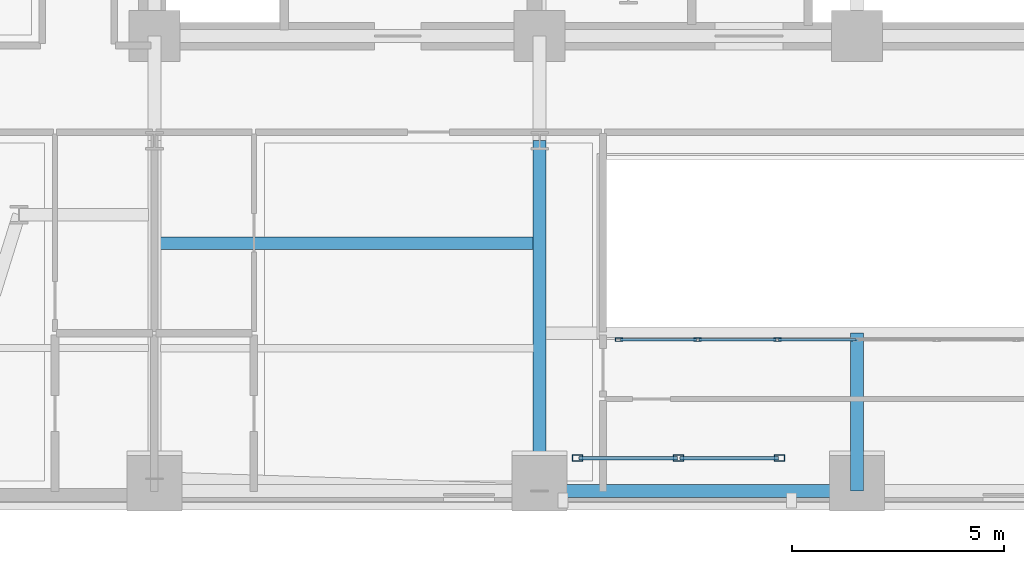
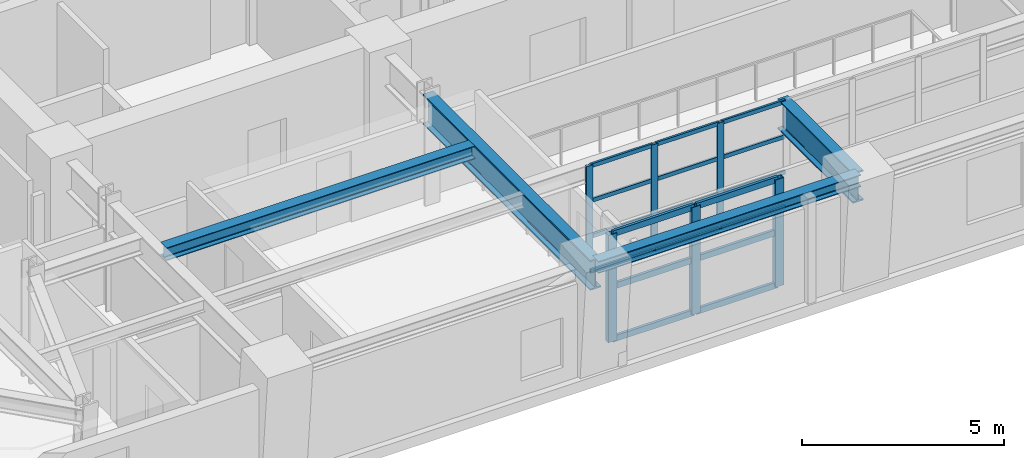
# One storey, part 2 of 16: 24 members, 4 beams, 2 elements without a shape of their own.
"""IFC4 building model written with IfcOpenShell, lengths in metres."""

from ifc_helpers import new_model, si_unit, direction, frame, origin, origin_2d, place, context, subcontext, project, spatial, hollow_rectangle, i_section, extrude, material, layer, layer_set, material_profile, profile_set, type_object, element, aggregate, save


model = new_model("IFC4")

# Units and contexts
model_context = context("Model", 3, precision=1e-05, world=origin(), true_north=direction((0.0, 1.0)))
body_context = subcontext(model_context, "Body", "Model", "MODEL_VIEW")
ifc_project = project(units=[si_unit("LENGTHUNIT", "METRE"), si_unit("AREAUNIT", "SQUARE_METRE"), si_unit("VOLUMEUNIT", "CUBIC_METRE"), si_unit("PLANEANGLEUNIT", "RADIAN"), si_unit("MASSUNIT", "GRAM", prefix="KILO")], contexts=[model_context])

# Site, building, storey
site_placement = place(None, origin())
site = spatial("IfcSite", under=ifc_project, at=site_placement, CompositionType="ELEMENT")
building_placement = place(site_placement, origin())
building = spatial("IfcBuilding", under=site, at=building_placement, Name="Zarnavel Station Tower", CompositionType="ELEMENT")
storey_placement = place(building_placement, frame((0.0, 0.0, 97.800048828125)))
storey = spatial("IfcBuildingStorey", under=building, at=storey_placement, Name="L26", CompositionType="ELEMENT", Elevation=97.800048828125)

# Curtain wall, members
ifc_material_1 = material(Name="Aluminium Dark Anodised and Solar-Control Glass", Category="aluminium")
ifc_layer_1 = layer(ifc_material_1, 0.179931640625)
ifc_layer_set_1 = layer_set([ifc_layer_1], Name="CWS3")
curtain_wall_type_1 = type_object("IfcCurtainWallType", Name="CWS3", PredefinedType="NOTDEFINED", material=ifc_layer_set_1)
curtain_wall_1_placement = place(storey_placement, origin())
curtain_wall_1 = element("IfcCurtainWall", 1, at=curtain_wall_1_placement, inside=storey, type_object=curtain_wall_type_1, Name="L26 Curtain Wall CWS3-L26-AS", PredefinedType="NOTDEFINED")
ifc_material_2 = material(Name="Steel S355J2 (Black Fluoropolymer Coated)", Category="steel")
ifc_material_profile_1 = material_profile(ifc_material_2, hollow_rectangle(XDim=0.080078125, YDim=0.179931640625, WallThickness=0.00634765625, at=origin_2d()), Name="RHS180x80x6.3")
ifc_profile_set_1 = profile_set([ifc_material_profile_1], Name="Steel S355J2 (Black Fluoropolymer Coated)")
member_type_1 = type_object("IfcMemberType", Name="CWS3_MUL", PredefinedType="MULLION", material=ifc_profile_set_1)
member_1_placement = place(storey_placement, frame((23.179931640625, 20.64990234375, 0.0), z_axis=(0.0, 0.0, 1.0), x_axis=(0.0, 1.0, 0.0)))
member_1 = element("IfcMember", 2, at=member_1_placement, type_object=member_type_1, Name="CW3 mullion 1", PredefinedType="MULLION", context=body_context, shape_type="SweptSolid", body=[
    extrude(hollow_rectangle(XDim=0.080078125, YDim=0.179931640625, WallThickness=0.00634765625, at=origin_2d()), origin(), (0.0, 0.0, 1.0), 3.239990234375),
])
member_2_placement = place(storey_placement, frame((25.033447265625, 20.64990234375, 0.0), z_axis=(0.0, 0.0, 1.0), x_axis=(0.0, 1.0, 0.0)))
member_2 = element("IfcMember", 3, at=member_2_placement, type_object=member_type_1, Name="CW3 mullion 2", PredefinedType="MULLION", context=body_context, shape_type="SweptSolid", body=[
    extrude(hollow_rectangle(XDim=0.080078125, YDim=0.179931640625, WallThickness=0.00634765625, at=origin_2d()), origin(), (0.0, 0.0, 1.0), 3.239990234375),
])
member_3_placement = place(storey_placement, frame((26.916748046875, 20.64990234375, 0.0), z_axis=(0.0, 0.0, 1.0), x_axis=(0.0, 1.0, 0.0)))
member_3 = element("IfcMember", 4, at=member_3_placement, type_object=member_type_1, Name="CW3 mullion 3", PredefinedType="MULLION", context=body_context, shape_type="SweptSolid", body=[
    extrude(hollow_rectangle(XDim=0.080078125, YDim=0.179931640625, WallThickness=0.00634765625, at=origin_2d()), origin(), (0.0, 0.0, 1.0), 3.239990234375),
])
ifc_material_3 = material(Name="Steel S355J2 (Black Fluoropolymer Coated)", Category="steel")
ifc_material_profile_2 = material_profile(ifc_material_3, hollow_rectangle(XDim=0.06005859375, YDim=0.1201171875, WallThickness=0.0048828125, at=origin_2d()), Name="RHS120x60x5")
ifc_profile_set_2 = profile_set([ifc_material_profile_2], Name="Steel S355J2 (Black Fluoropolymer Coated)")
member_type_2 = type_object("IfcMemberType", Name="CWS3_TRN", PredefinedType="USERDEFINED", material=ifc_profile_set_2)
member_4_placement = place(storey_placement, frame((23.2099609375, 20.64990234375, 0.030029296875), z_axis=(1.0, 0.0, 0.0), x_axis=(0.0, 1.0, 0.0)))
member_4 = element("IfcMember", 5, at=member_4_placement, type_object=member_type_2, Name="CW3 transom 1.1", ObjectType="TRANSOM", PredefinedType="USERDEFINED", context=body_context, shape_type="SweptSolid", body=[
    extrude(hollow_rectangle(XDim=0.06005859375, YDim=0.1201171875, WallThickness=0.0048828125, at=origin_2d()), origin(), (0.0, 0.0, 1.0), 1.79345703125),
])
member_5_placement = place(storey_placement, frame((23.2099609375, 20.64990234375, 1.079833984375), z_axis=(1.0, 0.0, 0.0), x_axis=(0.0, 1.0, 0.0)))
member_5 = element("IfcMember", 6, at=member_5_placement, type_object=member_type_2, Name="CW3 transom 1.2", ObjectType="TRANSOM", PredefinedType="USERDEFINED", context=body_context, shape_type="SweptSolid", body=[
    extrude(hollow_rectangle(XDim=0.06005859375, YDim=0.1201171875, WallThickness=0.0048828125, at=origin_2d()), origin(), (0.0, 0.0, 1.0), 1.79345703125),
])
member_6_placement = place(storey_placement, frame((23.2099609375, 20.64990234375, 2.159912109375), z_axis=(1.0, 0.0, 0.0), x_axis=(0.0, 1.0, 0.0)))
member_6 = element("IfcMember", 7, at=member_6_placement, type_object=member_type_2, Name="CW3 transom 1.3", ObjectType="TRANSOM", PredefinedType="USERDEFINED", context=body_context, shape_type="SweptSolid", body=[
    extrude(hollow_rectangle(XDim=0.06005859375, YDim=0.1201171875, WallThickness=0.0048828125, at=origin_2d()), origin(), (0.0, 0.0, 1.0), 1.79345703125),
])
member_7_placement = place(storey_placement, frame((23.2099609375, 20.64990234375, 3.2099609375), z_axis=(1.0, 0.0, 0.0), x_axis=(0.0, 1.0, 0.0)))
member_7 = element("IfcMember", 8, at=member_7_placement, type_object=member_type_2, Name="CW3 transom 1.4", ObjectType="TRANSOM", PredefinedType="USERDEFINED", context=body_context, shape_type="SweptSolid", body=[
    extrude(hollow_rectangle(XDim=0.06005859375, YDim=0.1201171875, WallThickness=0.0048828125, at=origin_2d()), origin(), (0.0, 0.0, 1.0), 1.79345703125),
])
member_8_placement = place(storey_placement, frame((25.063232421875, 20.64990234375, 0.030029296875), z_axis=(1.0, 0.0, 0.0), x_axis=(0.0, 1.0, 0.0)))
member_8 = element("IfcMember", 9, at=member_8_placement, type_object=member_type_2, Name="CW3 transom 2.1", ObjectType="TRANSOM", PredefinedType="USERDEFINED", context=body_context, shape_type="SweptSolid", body=[
    extrude(hollow_rectangle(XDim=0.06005859375, YDim=0.1201171875, WallThickness=0.0048828125, at=origin_2d()), origin(), (0.0, 0.0, 1.0), 1.823486328125),
])
member_9_placement = place(storey_placement, frame((25.063232421875, 20.64990234375, 1.079833984375), z_axis=(1.0, 0.0, 0.0), x_axis=(0.0, 1.0, 0.0)))
member_9 = element("IfcMember", 10, at=member_9_placement, type_object=member_type_2, Name="CW3 transom 2.2", ObjectType="TRANSOM", PredefinedType="USERDEFINED", context=body_context, shape_type="SweptSolid", body=[
    extrude(hollow_rectangle(XDim=0.06005859375, YDim=0.1201171875, WallThickness=0.0048828125, at=origin_2d()), origin(), (0.0, 0.0, 1.0), 1.823486328125),
])
member_10_placement = place(storey_placement, frame((25.063232421875, 20.64990234375, 2.159912109375), z_axis=(1.0, 0.0, 0.0), x_axis=(0.0, 1.0, 0.0)))
member_10 = element("IfcMember", 11, at=member_10_placement, type_object=member_type_2, Name="CW3 transom 2.3", ObjectType="TRANSOM", PredefinedType="USERDEFINED", context=body_context, shape_type="SweptSolid", body=[
    extrude(hollow_rectangle(XDim=0.06005859375, YDim=0.1201171875, WallThickness=0.0048828125, at=origin_2d()), origin(), (0.0, 0.0, 1.0), 1.823486328125),
])
member_11_placement = place(storey_placement, frame((25.063232421875, 20.64990234375, 3.2099609375), z_axis=(1.0, 0.0, 0.0), x_axis=(0.0, 1.0, 0.0)))
member_11 = element("IfcMember", 12, at=member_11_placement, type_object=member_type_2, Name="CW3 transom 2.4", ObjectType="TRANSOM", PredefinedType="USERDEFINED", context=body_context, shape_type="SweptSolid", body=[
    extrude(hollow_rectangle(XDim=0.06005859375, YDim=0.1201171875, WallThickness=0.0048828125, at=origin_2d()), origin(), (0.0, 0.0, 1.0), 1.823486328125),
])
member_12_placement = place(storey_placement, frame((26.94677734375, 20.64990234375, 0.030029296875), z_axis=(1.0, 0.0, 0.0), x_axis=(0.0, 1.0, 0.0)))
member_12 = element("IfcMember", 13, at=member_12_placement, type_object=member_type_2, Name="CW3 transom 3.1", ObjectType="TRANSOM", PredefinedType="USERDEFINED", context=body_context, shape_type="SweptSolid", body=[
    extrude(hollow_rectangle(XDim=0.06005859375, YDim=0.1201171875, WallThickness=0.0048828125, at=origin_2d()), origin(), (0.0, 0.0, 1.0), 1.8232421875),
])
member_13_placement = place(storey_placement, frame((26.94677734375, 20.64990234375, 1.079833984375), z_axis=(1.0, 0.0, 0.0), x_axis=(0.0, 1.0, 0.0)))
member_13 = element("IfcMember", 14, at=member_13_placement, type_object=member_type_2, Name="CW3 transom 3.2", ObjectType="TRANSOM", PredefinedType="USERDEFINED", context=body_context, shape_type="SweptSolid", body=[
    extrude(hollow_rectangle(XDim=0.06005859375, YDim=0.1201171875, WallThickness=0.0048828125, at=origin_2d()), origin(), (0.0, 0.0, 1.0), 1.8232421875),
])
member_14_placement = place(storey_placement, frame((26.94677734375, 20.64990234375, 2.159912109375), z_axis=(1.0, 0.0, 0.0), x_axis=(0.0, 1.0, 0.0)))
member_14 = element("IfcMember", 15, at=member_14_placement, type_object=member_type_2, Name="CW3 transom 3.3", ObjectType="TRANSOM", PredefinedType="USERDEFINED", context=body_context, shape_type="SweptSolid", body=[
    extrude(hollow_rectangle(XDim=0.06005859375, YDim=0.1201171875, WallThickness=0.0048828125, at=origin_2d()), origin(), (0.0, 0.0, 1.0), 1.8232421875),
])
member_15_placement = place(storey_placement, frame((26.94677734375, 20.64990234375, 3.2099609375), z_axis=(1.0, 0.0, 0.0), x_axis=(0.0, 1.0, 0.0)))
member_15 = element("IfcMember", 16, at=member_15_placement, type_object=member_type_2, Name="CW3 transom 3.4", ObjectType="TRANSOM", PredefinedType="USERDEFINED", context=body_context, shape_type="SweptSolid", body=[
    extrude(hollow_rectangle(XDim=0.06005859375, YDim=0.1201171875, WallThickness=0.0048828125, at=origin_2d()), origin(), (0.0, 0.0, 1.0), 1.8232421875),
])
aggregate(curtain_wall_1, [member_1, member_2, member_3, member_4, member_5, member_6, member_7, member_8, member_9, member_10, member_11, member_12, member_13, member_14, member_15])

ifc_material_4 = material(Name="Aluminium Dark Anodised and Solar-Control Glass", Category="aluminium")
ifc_layer_2 = layer(ifc_material_4, 0.179931640625)
ifc_layer_set_2 = layer_set([ifc_layer_2], Name="CWS6")
curtain_wall_type_2 = type_object("IfcCurtainWallType", Name="CWS6", PredefinedType="NOTDEFINED", material=ifc_layer_set_2)
curtain_wall_2_placement = place(storey_placement, origin())
curtain_wall_2 = element("IfcCurtainWall", 17, at=curtain_wall_2_placement, inside=storey, type_object=curtain_wall_type_2, Name="L26 Curtain Wall CWS6-LOG-L26", PredefinedType="NOTDEFINED")
ifc_material_5 = material(Name="Steel S355J2 (Black Fluoropolymer Coated)", Category="steel")
ifc_material_profile_3 = material_profile(ifc_material_5, hollow_rectangle(XDim=0.14990234375, YDim=0.25, WallThickness=0.010009765625, at=origin_2d()), Name="RHS250x150x10")
ifc_profile_set_3 = profile_set([ifc_material_profile_3], Name="Steel S355J2 (Black Fluoropolymer Coated)")
member_type_3 = type_object("IfcMemberType", Name="CWS6_MUL", PredefinedType="MULLION", material=ifc_profile_set_3)
member_16_placement = place(storey_placement, frame((22.197998046875, 17.85009765625, 0.0), z_axis=(0.0, 0.0, 1.0), x_axis=(0.0, 1.0, 0.0)))
member_16 = element("IfcMember", 18, at=member_16_placement, type_object=member_type_3, Name="CW6 mullion 1", PredefinedType="MULLION", context=body_context, shape_type="SweptSolid", body=[
    extrude(hollow_rectangle(XDim=0.14990234375, YDim=0.25, WallThickness=0.010009765625, at=origin_2d()), origin(), (0.0, 0.0, 1.0), 3.239990234375),
])
member_17_placement = place(storey_placement, frame((24.583984375, 17.85009765625, 0.0), z_axis=(0.0, 0.0, 1.0), x_axis=(0.0, 1.0, 0.0)))
member_17 = element("IfcMember", 19, at=member_17_placement, type_object=member_type_3, Name="CW6 mullion 2", PredefinedType="MULLION", context=body_context, shape_type="SweptSolid", body=[
    extrude(hollow_rectangle(XDim=0.14990234375, YDim=0.25, WallThickness=0.010009765625, at=origin_2d()), origin(), (0.0, 0.0, 1.0), 3.239990234375),
])
member_18_placement = place(storey_placement, frame((26.969970703125, 17.85009765625, 0.0), z_axis=(0.0, 0.0, 1.0), x_axis=(0.0, 1.0, 0.0)))
member_18 = element("IfcMember", 20, at=member_18_placement, type_object=member_type_3, Name="CW6 mullion 3", PredefinedType="MULLION", context=body_context, shape_type="SweptSolid", body=[
    extrude(hollow_rectangle(XDim=0.14990234375, YDim=0.25, WallThickness=0.010009765625, at=origin_2d()), origin(), (0.0, 0.0, 1.0), 3.239990234375),
])
ifc_material_6 = material(Name="Steel S355J2 (Black Fluoropolymer Coated)", Category="steel")
ifc_material_profile_4 = material_profile(ifc_material_6, hollow_rectangle(XDim=0.080078125, YDim=0.179931640625, WallThickness=0.00634765625, at=origin_2d()), Name="RHS180x80x6.3")
ifc_profile_set_4 = profile_set([ifc_material_profile_4], Name="Steel S355J2 (Black Fluoropolymer Coated)")
member_type_4 = type_object("IfcMemberType", Name="CWS6_TRN", PredefinedType="USERDEFINED", material=ifc_profile_set_4)
member_19_placement = place(storey_placement, frame((22.22802734375, 17.85009765625, 0.030029296875), z_axis=(1.0, 0.0, 0.0), x_axis=(0.0, 1.0, 0.0)))
member_19 = element("IfcMember", 21, at=member_19_placement, type_object=member_type_4, Name="CW6 transom 1.1", ObjectType="TRANSOM", PredefinedType="USERDEFINED", context=body_context, shape_type="SweptSolid", body=[
    extrude(hollow_rectangle(XDim=0.080078125, YDim=0.179931640625, WallThickness=0.00634765625, at=origin_2d()), origin(), (0.0, 0.0, 1.0), 2.325927734375),
])
member_20_placement = place(storey_placement, frame((22.22802734375, 17.85009765625, 1.619873046875), z_axis=(1.0, 0.0, 0.0), x_axis=(0.0, 1.0, 0.0)))
member_20 = element("IfcMember", 22, at=member_20_placement, type_object=member_type_4, Name="CW6 transom 1.2", ObjectType="TRANSOM", PredefinedType="USERDEFINED", context=body_context, shape_type="SweptSolid", body=[
    extrude(hollow_rectangle(XDim=0.080078125, YDim=0.179931640625, WallThickness=0.00634765625, at=origin_2d()), origin(), (0.0, 0.0, 1.0), 2.325927734375),
])
member_21_placement = place(storey_placement, frame((22.22802734375, 17.85009765625, 3.2099609375), z_axis=(1.0, 0.0, 0.0), x_axis=(0.0, 1.0, 0.0)))
member_21 = element("IfcMember", 23, at=member_21_placement, type_object=member_type_4, Name="CW6 transom 1.3", ObjectType="TRANSOM", PredefinedType="USERDEFINED", context=body_context, shape_type="SweptSolid", body=[
    extrude(hollow_rectangle(XDim=0.080078125, YDim=0.179931640625, WallThickness=0.00634765625, at=origin_2d()), origin(), (0.0, 0.0, 1.0), 2.325927734375),
])
member_22_placement = place(storey_placement, frame((24.614013671875, 17.85009765625, 0.030029296875), z_axis=(1.0, 0.0, 0.0), x_axis=(0.0, 1.0, 0.0)))
member_22 = element("IfcMember", 24, at=member_22_placement, type_object=member_type_4, Name="CW6 transom 2.1", ObjectType="TRANSOM", PredefinedType="USERDEFINED", context=body_context, shape_type="SweptSolid", body=[
    extrude(hollow_rectangle(XDim=0.080078125, YDim=0.179931640625, WallThickness=0.00634765625, at=origin_2d()), origin(), (0.0, 0.0, 1.0), 2.325927734375),
])
member_23_placement = place(storey_placement, frame((24.614013671875, 17.85009765625, 1.619873046875), z_axis=(1.0, 0.0, 0.0), x_axis=(0.0, 1.0, 0.0)))
member_23 = element("IfcMember", 25, at=member_23_placement, type_object=member_type_4, Name="CW6 transom 2.2", ObjectType="TRANSOM", PredefinedType="USERDEFINED", context=body_context, shape_type="SweptSolid", body=[
    extrude(hollow_rectangle(XDim=0.080078125, YDim=0.179931640625, WallThickness=0.00634765625, at=origin_2d()), origin(), (0.0, 0.0, 1.0), 2.325927734375),
])
member_24_placement = place(storey_placement, frame((24.614013671875, 17.85009765625, 3.2099609375), z_axis=(1.0, 0.0, 0.0), x_axis=(0.0, 1.0, 0.0)))
member_24 = element("IfcMember", 26, at=member_24_placement, type_object=member_type_4, Name="CW6 transom 2.3", ObjectType="TRANSOM", PredefinedType="USERDEFINED", context=body_context, shape_type="SweptSolid", body=[
    extrude(hollow_rectangle(XDim=0.080078125, YDim=0.179931640625, WallThickness=0.00634765625, at=origin_2d()), origin(), (0.0, 0.0, 1.0), 2.325927734375),
])
aggregate(curtain_wall_2, [member_16, member_17, member_18, member_19, member_20, member_21, member_22, member_23, member_24])

# Beams
ifc_material_7 = material(Name="Steel S355J2", Category="steel")
ifc_material_profile_5 = material_profile(ifc_material_7, i_section(OverallWidth=0.300048828125, OverallDepth=0.360107421875, WebThickness=0.012451171875, FlangeThickness=0.0224609375, FilletRadius=0.027099609375, at=origin_2d()), Name="HEB360")
ifc_profile_set_5 = profile_set([ifc_material_profile_5], Name="Steel S355J2")
beam_type_1 = type_object("IfcBeamType", Name="EB_HEB360", PredefinedType="SPANDREL", material=ifc_profile_set_5)
beam_1_placement = place(storey_placement, frame((21.300048828125, 17.07177734375, 3.06005859375), z_axis=(1.0, 0.0, 0.0), x_axis=(0.0, 1.0, 0.0)))
element("IfcBeam", 27, at=beam_1_placement, inside=storey, type_object=beam_type_1, Name="L26 South Raked Spandrel 2", PredefinedType="SPANDREL", context=body_context, shape_type="SweptSolid", body=[
    extrude(i_section(OverallWidth=0.300048828125, OverallDepth=0.360107421875, WebThickness=0.012451171875, FlangeThickness=0.0224609375, FilletRadius=0.027099609375, at=origin_2d()), origin(), (0.0, 0.0, 1.0), 7.5),
])
ifc_material_8 = material(Name="Steel S355J2", Category="steel")
ifc_material_profile_6 = material_profile(ifc_material_8, i_section(OverallWidth=0.300048828125, OverallDepth=0.389892578125, WebThickness=0.010986328125, FlangeThickness=0.01904296875, FilletRadius=0.027099609375, at=origin_2d()), Name="HEA400")
ifc_profile_set_6 = profile_set([ifc_material_profile_6], Name="Steel S355J2")
beam_type_2 = type_object("IfcBeamType", Name="FB_HEA400", PredefinedType="BEAM", material=ifc_profile_set_6)
beam_2_placement = place(storey_placement, frame((12.344970703125, 22.923828125, 3.044921875), z_axis=(1.0, 0.0, 0.0), x_axis=(0.0, 1.0, 0.0)))
element("IfcBeam", 28, at=beam_2_placement, inside=storey, type_object=beam_type_2, Name="L26 West Bay Beam 2", PredefinedType="BEAM", context=body_context, shape_type="SweptSolid", body=[
    extrude(i_section(OverallWidth=0.300048828125, OverallDepth=0.389892578125, WebThickness=0.010986328125, FlangeThickness=0.01904296875, FilletRadius=0.027099609375, at=origin_2d()), origin(), (0.0, 0.0, 1.0), 8.81005859375),
])
ifc_material_9 = material(Name="Steel S460M", Category="steel")
ifc_material_profile_7 = material_profile(ifc_material_9, i_section(OverallWidth=0.302001953125, OverallDepth=0.909912109375, WebThickness=0.02099609375, FlangeThickness=0.0400390625, FilletRadius=0.030029296875, at=origin_2d()), Name="HEM900")
ifc_profile_set_7 = profile_set([ifc_material_profile_7], Name="Steel S460M")
beam_type_3 = type_object("IfcBeamType", Name="TG_HEM900", PredefinedType="USERDEFINED", material=ifc_profile_set_7)
beam_3_placement = place(storey_placement, frame((21.300048828125, 17.07177734375, 2.784912109375), z_axis=(0.0, 1.0, 0.0), x_axis=(-1.0, 0.0, 0.0)))
element("IfcBeam", 29, at=beam_3_placement, inside=storey, type_object=beam_type_3, Name="L26 South-Zone NS Girder 2", ObjectType="GIRDER", PredefinedType="USERDEFINED", context=body_context, shape_type="SweptSolid", body=[
    extrude(i_section(OverallWidth=0.302001953125, OverallDepth=0.909912109375, WebThickness=0.02099609375, FlangeThickness=0.0400390625, FilletRadius=0.030029296875, at=origin_2d()), origin(), (0.0, 0.0, 1.0), 8.2783203125),
])
beam_4_placement = place(storey_placement, frame((28.800048828125, 17.07177734375, 2.784912109375), z_axis=(0.0, 1.0, 0.0), x_axis=(-1.0, 0.0, 0.0)))
element("IfcBeam", 30, at=beam_4_placement, inside=storey, type_object=beam_type_3, Name="L26 Central Atrium-South Girder", ObjectType="GIRDER", PredefinedType="USERDEFINED", context=body_context, shape_type="SweptSolid", body=[
    extrude(i_section(OverallWidth=0.302001953125, OverallDepth=0.909912109375, WebThickness=0.02099609375, FlangeThickness=0.0400390625, FilletRadius=0.030029296875, at=origin_2d()), origin(), (0.0, 0.0, 1.0), 3.728271484375),
])

save(model, "model.ifc")
